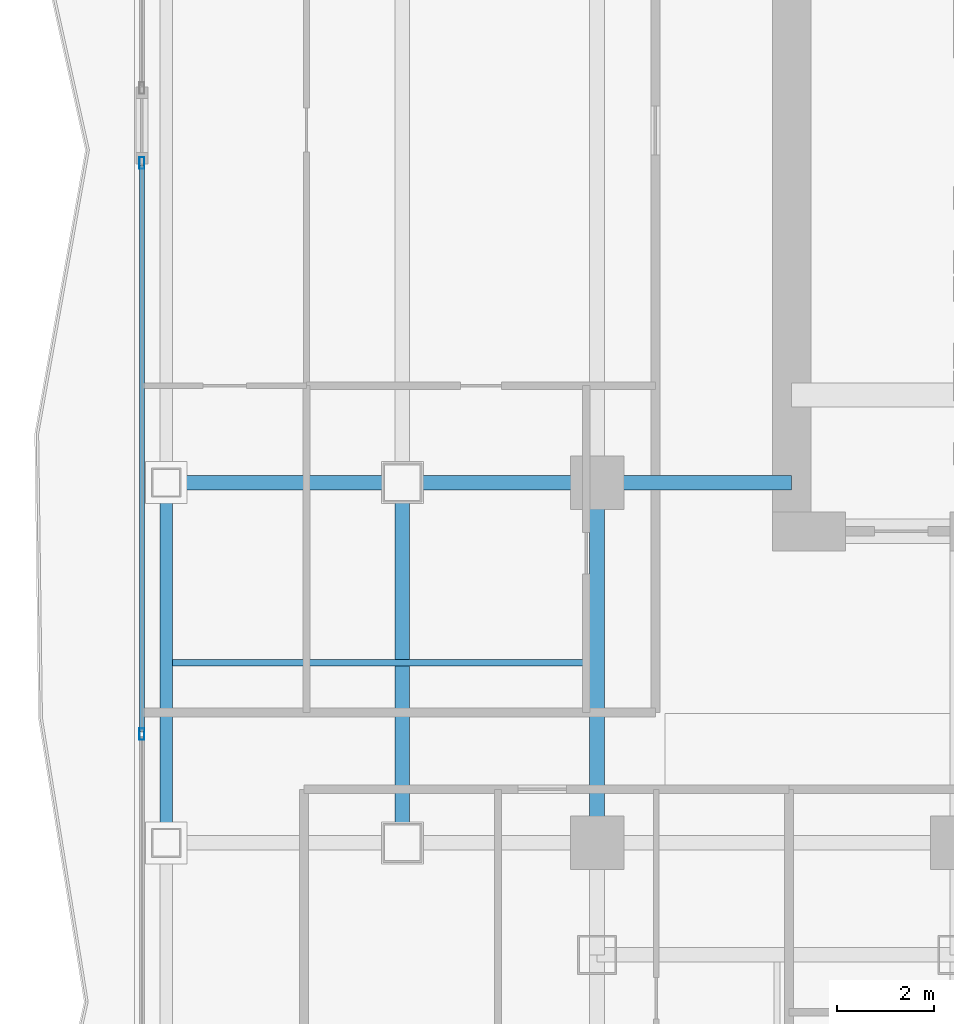
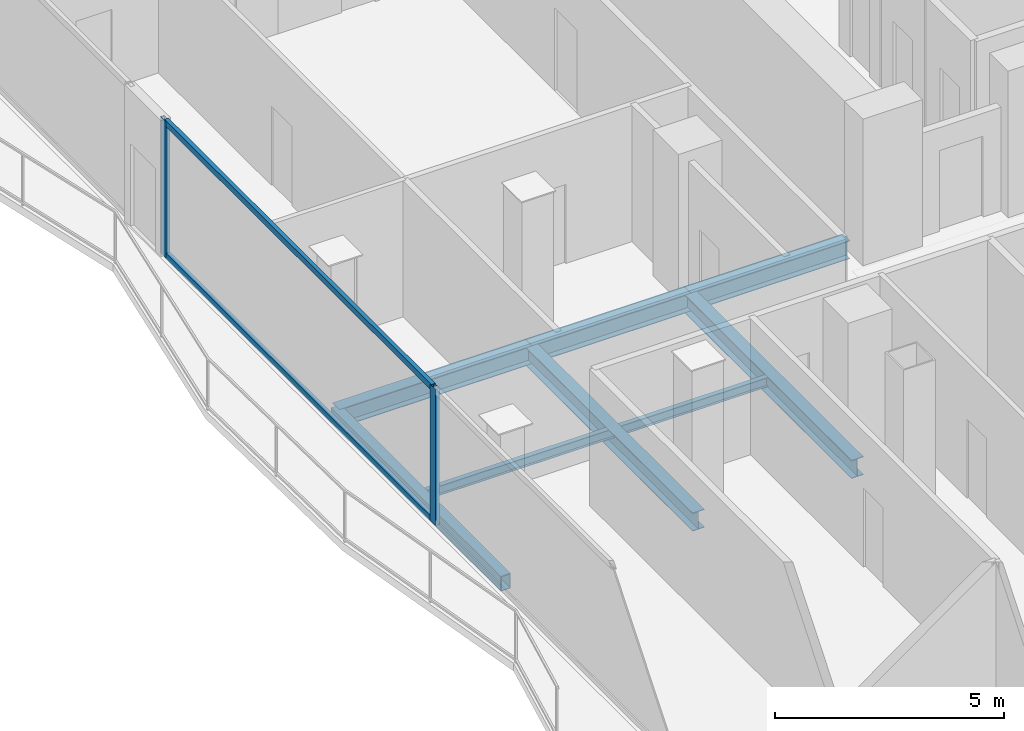
# One storey, part 5 of 24: 7 beams, 4 members, 1 element without a shape of its own.
"""IFC4 building model written with IfcOpenShell, lengths in metres."""

from ifc_helpers import new_model, si_unit, direction, frame, origin, origin_2d, place, context, subcontext, project, spatial, hollow_rectangle, i_section, extrude, material, layer, layer_set, material_profile, profile_set, type_object, element, aggregate, save


model = new_model("IFC4")

# Units and contexts
model_context = context("Model", 3, precision=1e-05, world=origin(), true_north=direction((0.0, 1.0)))
body_context = subcontext(model_context, "Body", "Model", "MODEL_VIEW")
ifc_project = project(units=[si_unit("LENGTHUNIT", "METRE"), si_unit("AREAUNIT", "SQUARE_METRE"), si_unit("VOLUMEUNIT", "CUBIC_METRE"), si_unit("PLANEANGLEUNIT", "RADIAN"), si_unit("MASSUNIT", "GRAM", prefix="KILO")], contexts=[model_context])

# Site, building, storey
site_placement = place(None, origin())
site = spatial("IfcSite", under=ifc_project, at=site_placement, CompositionType="ELEMENT")
building_placement = place(site_placement, origin())
building = spatial("IfcBuilding", under=site, at=building_placement, Name="Khorvyn Point Tower", CompositionType="ELEMENT")
storey_placement = place(building_placement, frame((0.0, 0.0, 215.699951171875)))
storey = spatial("IfcBuildingStorey", under=building, at=storey_placement, Name="L53", CompositionType="ELEMENT", Elevation=215.699951171875)

# Curtain wall, members
ifc_material_1 = material(Name="Anodised aluminium 6063-T6 and laminated Low-E glass", Category="aluminium")
ifc_layer = layer(ifc_material_1, 0.18994140625)
ifc_layer_set = layer_set([ifc_layer], Name="Stick-Built Acoustic Curtain Wall CW-SYS-03")
curtain_wall_type = type_object("IfcCurtainWallType", Name="Stick-Built Acoustic Curtain Wall CW-SYS-03", PredefinedType="NOTDEFINED", material=ifc_layer_set)
curtain_wall_placement = place(storey_placement, origin())
curtain_wall = element("IfcCurtainWall", 1, at=curtain_wall_placement, inside=storey, type_object=curtain_wall_type, Name="Curtain Wall", PredefinedType="NOTDEFINED")
ifc_material_2 = material(Name="Anodised aluminium 6063-T6", Category="aluminium")
ifc_material_profile_1 = material_profile(ifc_material_2, hollow_rectangle(XDim=0.10009765625, YDim=0.239990234375, WallThickness=0.0048828125, at=origin_2d()))
ifc_profile_set_1 = profile_set([ifc_material_profile_1], Name="Anodised aluminium 6063-T6 ALU-MUL-100x240")
member_type_1 = type_object("IfcMemberType", Name="Anodised Aluminium 6063-T6 Mullion ALU-MUL-100x240", PredefinedType="MULLION", material=ifc_profile_set_1)
member_1_placement = place(storey_placement, frame((-24.14990234375, -12.56640625, 0.0), z_axis=(0.0, 0.0, 1.0), x_axis=(-1.0, 0.0, 0.0)))
member_1 = element("IfcMember", 2, at=member_1_placement, type_object=member_type_1, Name="Transom", PredefinedType="MULLION", context=body_context, shape_type="SweptSolid", body=[
    extrude(hollow_rectangle(XDim=0.10009765625, YDim=0.239990234375, WallThickness=0.0048828125, at=origin_2d()), origin(), (0.0, 0.0, 1.0), 3.6201171875),
])
member_2_placement = place(storey_placement, frame((-24.14990234375, -0.8330078125, 0.0), z_axis=(0.0, 0.0, 1.0), x_axis=(-1.0, 0.0, 0.0)))
member_2 = element("IfcMember", 3, at=member_2_placement, type_object=member_type_1, Name="Transom", PredefinedType="MULLION", context=body_context, shape_type="SweptSolid", body=[
    extrude(hollow_rectangle(XDim=0.10009765625, YDim=0.239990234375, WallThickness=0.0048828125, at=origin_2d()), origin(), (0.0, 0.0, 1.0), 3.6201171875),
])
ifc_material_profile_2 = material_profile(ifc_material_2, hollow_rectangle(XDim=0.10009765625, YDim=0.159912109375, WallThickness=0.00439453125, at=origin_2d()))
ifc_profile_set_2 = profile_set([ifc_material_profile_2], Name="Anodised aluminium 6063-T6 ALU-TRN-100x160")
member_type_2 = type_object("IfcMemberType", Name="Anodised Aluminium 6063-T6 Transom ALU-TRN-100x160", PredefinedType="USERDEFINED", material=ifc_profile_set_2)
member_3_placement = place(storey_placement, frame((-24.14990234375, -12.5166015625, 0.050048828125), z_axis=(0.0, 1.0, 0.0), x_axis=(-1.0, 0.0, 0.0)))
member_3 = element("IfcMember", 4, at=member_3_placement, type_object=member_type_2, Name="Transom", ObjectType="TRANSOM", PredefinedType="USERDEFINED", context=body_context, shape_type="SweptSolid", body=[
    extrude(hollow_rectangle(XDim=0.10009765625, YDim=0.159912109375, WallThickness=0.00439453125, at=origin_2d()), origin(), (0.0, 0.0, 1.0), 11.633544921875),
])
member_4_placement = place(storey_placement, frame((-24.14990234375, -12.5166015625, 3.570068359375), z_axis=(0.0, 1.0, 0.0), x_axis=(-1.0, 0.0, 0.0)))
member_4 = element("IfcMember", 5, at=member_4_placement, type_object=member_type_2, Name="Transom", ObjectType="TRANSOM", PredefinedType="USERDEFINED", context=body_context, shape_type="SweptSolid", body=[
    extrude(hollow_rectangle(XDim=0.10009765625, YDim=0.159912109375, WallThickness=0.00439453125, at=origin_2d()), origin(), (0.0, 0.0, 1.0), 11.633544921875),
])
aggregate(curtain_wall, [member_1, member_2, member_3, member_4])

# Beams
ifc_material_3 = material(Name="Steel S355", Category="steel")
ifc_material_profile_3 = material_profile(ifc_material_3, i_section(OverallWidth=0.125, OverallDepth=0.25, WebThickness=0.006103515625, FlangeThickness=0.009033203125, at=origin_2d()))
ifc_profile_set_3 = profile_set([ifc_material_profile_3], Name="Steel S355 H250x125x6x9")
beam_type_1 = type_object("IfcBeamType", Name="Steel S355 Joist H250x125x6x9", PredefinedType="JOIST", material=ifc_profile_set_3)
beam_1_placement = place(storey_placement, frame((-23.52490234375, -11.10009765625, -0.344970703125), z_axis=(1.0, 0.0, 0.0), x_axis=(0.0, 1.0, 0.0)))
element("IfcBeam", 6, at=beam_1_placement, inside=storey, type_object=beam_type_1, Name="Beam", PredefinedType="JOIST", context=body_context, shape_type="SweptSolid", body=[
    extrude(i_section(OverallWidth=0.125, OverallDepth=0.25, WebThickness=0.006103515625, FlangeThickness=0.009033203125, at=origin_2d()), origin(), (0.0, 0.0, 1.0), 8.574951171875),
])
ifc_material_profile_4 = material_profile(ifc_material_3, i_section(OverallWidth=0.300048828125, OverallDepth=0.488037109375, WebThickness=0.010986328125, FlangeThickness=0.01806640625, at=origin_2d()))
ifc_profile_set_4 = profile_set([ifc_material_profile_4], Name="Steel S355 H488x300x11x18")
beam_type_2 = type_object("IfcBeamType", Name="Steel S355 Spandrel H488x300x11x18", PredefinedType="SPANDREL", material=ifc_profile_set_4)
beam_2_placement = place(storey_placement, frame((-23.64990234375, -7.39990234375, -0.4638671875), z_axis=(1.0, 0.0, 0.0), x_axis=(0.0, 1.0, 0.0)))
element("IfcBeam", 7, at=beam_2_placement, inside=storey, type_object=beam_type_2, Name="Beam", PredefinedType="SPANDREL", context=body_context, shape_type="SweptSolid", body=[
    extrude(i_section(OverallWidth=0.300048828125, OverallDepth=0.488037109375, WebThickness=0.010986328125, FlangeThickness=0.01806640625, at=origin_2d()), origin(), (0.0, 0.0, 1.0), 4.849853515625),
])
for number, where, z_axis, x_axis, name in (
    (8, (-18.800048828125, -7.39990234375, -0.4638671875), (1.0, 0.0, 0.0), (0.0, 1.0, 0.0), "Beam"),
    (9, (-14.800048828125, -7.39990234375, -0.4638671875), (1.0, 0.0, 0.0), (0.0, 1.0, 0.0), "Beam"),
):
    element("IfcBeam", number, at=place(storey_placement, frame(where, z_axis=z_axis, x_axis=x_axis)), inside=storey, type_object=beam_type_2, Name=name, PredefinedType="SPANDREL", context=body_context, shape_type="SweptSolid", body=[
        extrude(i_section(OverallWidth=0.300048828125, OverallDepth=0.488037109375, WebThickness=0.010986328125, FlangeThickness=0.01806640625, at=origin_2d()), origin(), (0.0, 0.0, 1.0), 4.0),
    ])
for number, where, z_axis, x_axis, name in (
    (10, (-14.800048828125, -14.800048828125, -0.4638671875), (0.0, 1.0, 0.0), (-1.0, 0.0, 0.0), "Beam"),
    (11, (-18.800048828125, -14.800048828125, -0.4638671875), (0.0, 1.0, 0.0), (-1.0, 0.0, 0.0), "Beam"),
):
    element("IfcBeam", number, at=place(storey_placement, frame(where, z_axis=z_axis, x_axis=x_axis)), inside=storey, type_object=beam_type_2, Name=name, PredefinedType="SPANDREL", context=body_context, shape_type="SweptSolid", body=[
        extrude(i_section(OverallWidth=0.300048828125, OverallDepth=0.488037109375, WebThickness=0.010986328125, FlangeThickness=0.01806640625, at=origin_2d()), origin(), (0.0, 0.0, 1.0), 7.400146484375),
    ])
ifc_material_profile_5 = material_profile(ifc_material_3, hollow_rectangle(XDim=0.25, YDim=0.39990234375, WallThickness=0.01611328125, at=origin_2d()))
ifc_profile_set_5 = profile_set([ifc_material_profile_5], Name="Steel S355 RHS400x250x16")
beam_type_3 = type_object("IfcBeamType", Name="Steel S355 Spandrel RHS400x250x16", PredefinedType="SPANDREL", material=ifc_profile_set_5)
beam_3_placement = place(storey_placement, frame((-23.64990234375, -14.800048828125, -0.419921875), z_axis=(0.0, 1.0, 0.0), x_axis=(-1.0, 0.0, 0.0)))
element("IfcBeam", 12, at=beam_3_placement, inside=storey, type_object=beam_type_3, Name="Beam", PredefinedType="SPANDREL", context=body_context, shape_type="SweptSolid", body=[
    extrude(hollow_rectangle(XDim=0.25, YDim=0.39990234375, WallThickness=0.01611328125, at=origin_2d()), origin(), (0.0, 0.0, 1.0), 7.400146484375),
])

save(model, "model.ifc")
